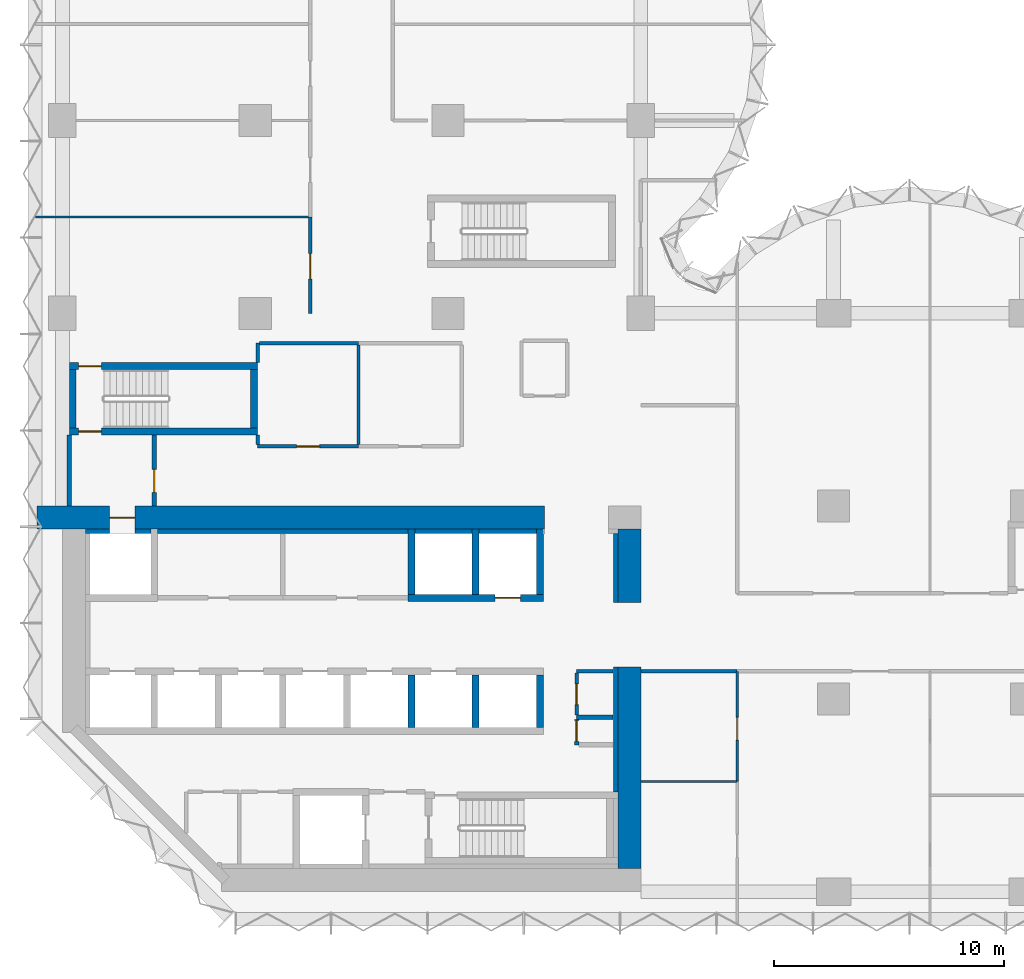
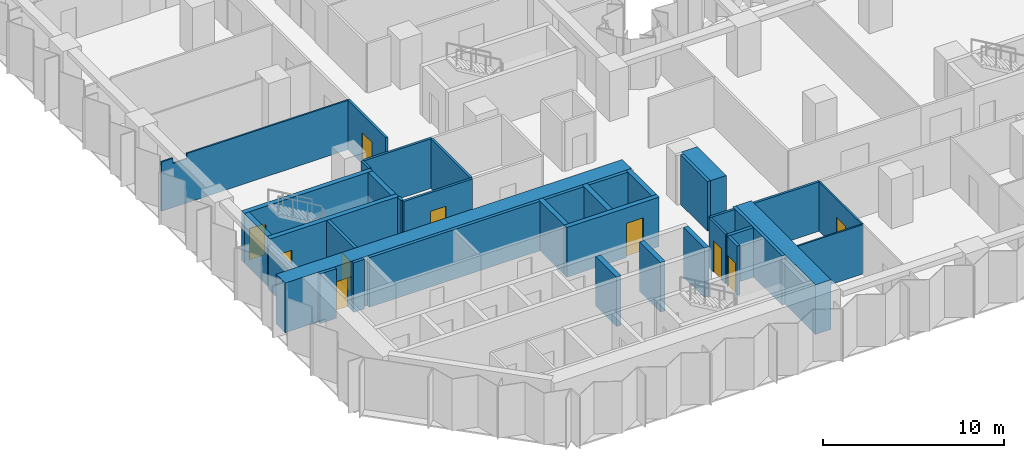
# One storey, part 8 of 15: 37 walls, 10 doors, 10 openings.
"""IFC4 building model written with IfcOpenShell, lengths in metres."""

from ifc_helpers import new_model, si_unit, direction, frame, frame_2d, origin, place, context, subcontext, project, spatial, polyline, rectangle, outline, extrude, material, layer, layer_set, type_object, element, fill, save


model = new_model("IFC4")

# Units and contexts
model_context = context("Model", 3, precision=1e-05, world=origin(), true_north=direction((0.0, 1.0)))
body_context = subcontext(model_context, "Body", "Model", "MODEL_VIEW")
ifc_project = project(units=[si_unit("LENGTHUNIT", "METRE"), si_unit("AREAUNIT", "SQUARE_METRE"), si_unit("VOLUMEUNIT", "CUBIC_METRE"), si_unit("PLANEANGLEUNIT", "RADIAN"), si_unit("MASSUNIT", "GRAM", prefix="KILO")], contexts=[model_context])

# Site, building, storey
site_placement = place(None, origin())
site = spatial("IfcSite", under=ifc_project, at=site_placement, CompositionType="ELEMENT")
building_placement = place(site_placement, origin())
building = spatial("IfcBuilding", under=site, at=building_placement, Name="Brevane Broadcast Tower", CompositionType="ELEMENT")
storey_placement = place(building_placement, frame((0.0, 0.0, 50.89990234375)))
storey = spatial("IfcBuildingStorey", under=building, at=storey_placement, Name="L10", CompositionType="ELEMENT", Elevation=50.89990234375)

# Walls
ifc_material_1 = material(Name="Concrete C32/40", Category="concrete")
ifc_layer_1 = layer(ifc_material_1, 0.199951171875)
ifc_layer_set_1 = layer_set([ifc_layer_1], Name="Core chase wall 200 mm")
wall_type_1 = type_object("IfcWallType", Name="Core chase wall 200 mm", PredefinedType="PARTITIONING", material=ifc_layer_set_1)
wall_1_placement = place(storey_placement, frame((24.10009765625, 12.60009765625, 0.0), z_axis=(0.0, 0.0, 1.0), x_axis=(0.0, 1.0, 0.0)))
element("IfcWall", 1, at=wall_1_placement, inside=storey, type_object=wall_type_1, Name="L10 chase wall LE2", PredefinedType="PARTITIONING", context=body_context, shape_type="SweptSolid", body=[
    extrude(rectangle(XDim=3.0, YDim=0.199951171875, at=frame_2d((1.5, 0.0))), origin(), (0.0, 0.0, 1.0), 3.35009765625),
])
wall_2_placement = place(storey_placement, frame((1.0, 15.699951171875, 0.0), z_axis=(0.0, 0.0, 1.0), x_axis=(1.0, 0.0, 0.0)))
element("IfcWall", 2, at=wall_2_placement, inside=storey, type_object=wall_type_1, Name="L10 chase wall LN0", PredefinedType="PARTITIONING", context=body_context, shape_type="SweptSolid", body=[
    extrude(rectangle(XDim=1.050048828125, YDim=0.199951171875, at=frame_2d((0.52490234375, 0.0))), origin(), (0.0, 0.0, 1.0), 3.35009765625),
])
wall_3_placement = place(storey_placement, frame((3.14990234375, 15.699951171875, 0.0), z_axis=(0.0, 0.0, 1.0), x_axis=(1.0, 0.0, 0.0)))
element("IfcWall", 3, at=wall_3_placement, inside=storey, type_object=wall_type_1, Name="L10 chase wall LN1-1", PredefinedType="PARTITIONING", context=body_context, shape_type="SweptSolid", body=[
    extrude(rectangle(XDim=0.7001953125, YDim=0.199951171875, at=frame_2d((0.35009765625, 0.0))), origin(), (0.0, 0.0, 1.0), 3.35009765625),
])
wall_4_placement = place(storey_placement, frame((4.14990234375, 15.699951171875, 0.0), z_axis=(0.0, 0.0, 1.0), x_axis=(1.0, 0.0, 0.0)))
element("IfcWall", 4, at=wall_4_placement, inside=storey, type_object=wall_type_1, Name="L10 chase wall LN1-2-1", PredefinedType="PARTITIONING", context=body_context, shape_type="SweptSolid", body=[
    extrude(rectangle(XDim=10.900146484375, YDim=0.199951171875, at=frame_2d((5.4501953125, 0.0))), origin(), (0.0, 0.0, 1.0), 3.35009765625),
])
for number, where, z_axis, x_axis, name in (
    (5, (15.35009765625, 15.699951171875, 0.0), (0.0, 0.0, 1.0), (1.0, 0.0, 0.0), "L10 chase wall LN1-2-2-1"),
    (6, (18.14990234375, 15.699951171875, 0.0), (0.0, 0.0, 1.0), (1.0, 0.0, 0.0), "L10 chase wall LN1-2-2-2-1"),
):
    element("IfcWall", number, at=place(storey_placement, frame(where, z_axis=z_axis, x_axis=x_axis)), inside=storey, type_object=wall_type_1, Name=name, PredefinedType="PARTITIONING", context=body_context, shape_type="SweptSolid", body=[
        extrude(rectangle(XDim=2.5, YDim=0.199951171875, at=frame_2d((1.25, 0.0))), origin(), (0.0, 0.0, 1.0), 3.35009765625),
    ])
wall_5_placement = place(storey_placement, frame((24.10009765625, 4.35009765625, 0.0), z_axis=(0.0, 0.0, 1.0), x_axis=(0.0, 1.0, 0.0)))
element("IfcWall", 7, at=wall_5_placement, inside=storey, type_object=wall_type_1, Name="L10 chase wall LE1-2-2", PredefinedType="PARTITIONING", context=body_context, shape_type="SweptSolid", body=[
    extrude(rectangle(XDim=5.449951171875, YDim=0.199951171875, at=frame_2d((2.72509765625, 0.0))), origin(), (0.0, 0.0, 1.0), 3.35009765625),
])

# Wall, opening, door
ifc_material_2 = material(Name="Gypsum board on steel studs", Category="steel")
ifc_layer_2 = layer(ifc_material_2, 0.14990234375)
ifc_layer_set_2 = layer_set([ifc_layer_2], Name="Core fire partition 150 mm")
wall_type_2 = type_object("IfcWallType", Name="Core fire partition 150 mm", PredefinedType="PARTITIONING", material=ifc_layer_set_2)
wall_6_placement = place(storey_placement, frame((12.89990234375, 19.39990234375, 0.0), z_axis=(0.0, 0.0, 1.0), x_axis=(-1.0, 0.0, 0.0)))
wall_6 = element("IfcWall", 8, at=wall_6_placement, inside=storey, type_object=wall_type_2, Name="L10 partition wall P15", PredefinedType="PARTITIONING", context=body_context, shape_type="SweptSolid", body=[
    extrude(rectangle(XDim=4.39990234375, YDim=0.14990234375, at=frame_2d((2.199951171875, 0.0))), origin(), (0.0, 0.0, 1.0), 3.35009765625),
])
opening_1_placement = place(wall_6_placement, frame((1.699951171875, 0.0, 0.0)))
opening_1 = element("IfcOpeningElement", 9, at=opening_1_placement, cuts=wall_6, Name="Opening L10-K25", PredefinedType="OPENING", context=body_context, shape_type="SweptSolid", body=[
    extrude(rectangle(XDim=1.0, YDim=2.10009765625, at=frame_2d((0.5, 1.050048828125))), frame((0.0, 0.0849609375, 0.0), z_axis=(0.0, -1.0, 0.0), x_axis=(1.0, 0.0, 0.0)), (0.0, 0.0, 1.0), 0.169921875),
])
ifc_material_3 = material(Name="Steel", Category="steel")
door_type_1 = type_object("IfcDoorType", Name="Service room door 1000 x 2100", OperationType="SINGLE_SWING_LEFT", PredefinedType="DOOR", material=ifc_material_3)
door_1_placement = place(opening_1_placement, origin())
door_1 = element("IfcDoor", 10, at=door_1_placement, inside=storey, type_object=door_type_1, Name="Door L10-K25", OperationType="SINGLE_SWING_LEFT", OverallHeight=2.10009765625, OverallWidth=1.0, PredefinedType="DOOR", context=body_context, shape_type="SweptSolid", body=[
    extrude(rectangle(XDim=1.0, YDim=2.10009765625, at=frame_2d((0.5, 1.050048828125))), frame((0.0, 0.02490234375, 0.0), z_axis=(0.0, -1.0, 0.0), x_axis=(1.0, 0.0, 0.0)), (0.0, 0.0, 1.0), 0.050048828125),
])
fill(opening_1, door_1)

# Walls
wall_7_placement = place(storey_placement, frame((8.5, 19.47509765625, 0.0), z_axis=(0.0, 0.0, 1.0), x_axis=(0.0, 1.0, 0.0)))
element("IfcWall", 11, at=wall_7_placement, inside=storey, type_object=wall_type_2, Name="L10 partition wall P16", PredefinedType="PARTITIONING", context=body_context, shape_type="SweptSolid", body=[
    extrude(rectangle(XDim=0.412841796875, YDim=0.14990234375, at=frame_2d((0.20654296875, 0.0))), origin(), (0.0, 0.0, 1.0), 3.35009765625),
])
wall_8_placement = place(storey_placement, frame((8.5, 23.06201171875, 0.0), z_axis=(0.0, 0.0, 1.0), x_axis=(0.0, 1.0, 0.0)))
element("IfcWall", 12, at=wall_8_placement, inside=storey, type_object=wall_type_2, Name="L10 partition wall P17", PredefinedType="PARTITIONING", context=body_context, shape_type="SweptSolid", body=[
    extrude(rectangle(XDim=0.837890625, YDim=0.14990234375, at=frame_2d((0.4189453125, 0.0))), origin(), (0.0, 0.0, 1.0), 3.35009765625),
])
wall_9_placement = place(storey_placement, frame((8.574951171875, 23.89990234375, 0.0), z_axis=(0.0, 0.0, 1.0), x_axis=(1.0, 0.0, 0.0)))
element("IfcWall", 13, at=wall_9_placement, inside=storey, type_object=wall_type_2, Name="L10 partition wall P18", PredefinedType="PARTITIONING", context=body_context, shape_type="SweptSolid", body=[
    extrude(rectangle(XDim=4.324951171875, YDim=0.14990234375, at=frame_2d((2.16259765625, 0.0))), origin(), (0.0, 0.0, 1.0), 3.35009765625),
])
wall_10_placement = place(storey_placement, frame((12.89990234375, 23.824951171875, 0.0), z_axis=(0.0, 0.0, 1.0), x_axis=(0.0, -1.0, 0.0)))
element("IfcWall", 14, at=wall_10_placement, inside=storey, type_object=wall_type_2, Name="L10 partition wall P22", PredefinedType="PARTITIONING", context=body_context, shape_type="SweptSolid", body=[
    extrude(rectangle(XDim=4.349853515625, YDim=0.14990234375, at=frame_2d((2.1748046875, 0.0))), origin(), (0.0, 0.0, 1.0), 3.35009765625),
])
wall_11_placement = place(storey_placement, frame((23.988037109375, 9.60009765625, 0.0), z_axis=(0.0, 0.0, 1.0), x_axis=(-1.0, 0.0, 0.0)))
element("IfcWall", 15, at=wall_11_placement, inside=storey, type_object=wall_type_2, Name="L10 partition wall P23", PredefinedType="PARTITIONING", context=body_context, shape_type="SweptSolid", body=[
    extrude(rectangle(XDim=1.588134765625, YDim=0.14990234375, at=frame_2d((0.7939453125, 0.0))), origin(), (0.0, 0.0, 1.0), 3.35009765625),
])

# Wall, opening, door
wall_12_placement = place(storey_placement, frame((22.39990234375, 9.52490234375, 0.0), z_axis=(0.0, 0.0, 1.0), x_axis=(0.0, -1.0, 0.0)))
wall_12 = element("IfcWall", 16, at=wall_12_placement, inside=storey, type_object=wall_type_2, Name="L10 partition wall P24", PredefinedType="PARTITIONING", context=body_context, shape_type="SweptSolid", body=[
    extrude(rectangle(XDim=1.824951171875, YDim=0.14990234375, at=frame_2d((0.91259765625, 0.0))), origin(), (0.0, 0.0, 1.0), 3.35009765625),
])
opening_2_placement = place(wall_12_placement, frame((0.47509765625, 0.0, 0.0)))
opening_2 = element("IfcOpeningElement", 17, at=opening_2_placement, cuts=wall_12, Name="Opening L10-K20", PredefinedType="OPENING", context=body_context, shape_type="SweptSolid", body=[
    extrude(rectangle(XDim=0.89990234375, YDim=2.10009765625, at=frame_2d((0.449951171875, 1.050048828125))), frame((0.0, 0.0849609375, 0.0), z_axis=(0.0, -1.0, 0.0), x_axis=(1.0, 0.0, 0.0)), (0.0, 0.0, 1.0), 0.169921875),
])
door_type_2 = type_object("IfcDoorType", Name="Service room door 900 x 2100", OperationType="SINGLE_SWING_LEFT", PredefinedType="DOOR", material=ifc_material_3)
door_2_placement = place(opening_2_placement, origin())
door_2 = element("IfcDoor", 18, at=door_2_placement, inside=storey, type_object=door_type_2, Name="Door L10-K20", OperationType="SINGLE_SWING_RIGHT", OverallHeight=2.10009765625, OverallWidth=0.89990234375, PredefinedType="DOOR", context=body_context, shape_type="SweptSolid", body=[
    extrude(rectangle(XDim=0.89990234375, YDim=2.10009765625, at=frame_2d((0.449951171875, 1.050048828125))), frame((0.0, 0.02490234375, 0.0), z_axis=(0.0, -1.0, 0.0), x_axis=(1.0, 0.0, 0.0)), (0.0, 0.0, 1.0), 0.050048828125),
])
fill(opening_2, door_2)

# Wall
ifc_layer_3 = layer(ifc_material_2, 0.199951171875)
ifc_layer_set_3 = layer_set([ifc_layer_3], Name="Core fire partition 200 mm")
wall_type_3 = type_object("IfcWallType", Name="Core fire partition 200 mm", PredefinedType="PARTITIONING", material=ifc_layer_set_3)
wall_13_placement = place(storey_placement, frame((0.300048828125, 16.81201171875, 0.0), z_axis=(0.0, 0.0, 1.0), x_axis=(0.0, 1.0, 0.0)))
element("IfcWall", 19, at=wall_13_placement, inside=storey, type_object=wall_type_3, Name="L10 partition wall P01", PredefinedType="PARTITIONING", context=body_context, shape_type="SweptSolid", body=[
    extrude(rectangle(XDim=3.075927734375, YDim=0.199951171875, at=frame_2d((1.5380859375, 0.0))), origin(), (0.0, 0.0, 1.0), 2.97998046875),
])

# Wall, opening, door
wall_14_placement = place(storey_placement, frame((4.0, 19.887939453125, 0.0), z_axis=(0.0, 0.0, 1.0), x_axis=(0.0, -1.0, 0.0)))
wall_14 = element("IfcWall", 20, at=wall_14_placement, inside=storey, type_object=wall_type_3, Name="L10 partition wall P02", PredefinedType="PARTITIONING", context=body_context, shape_type="SweptSolid", body=[
    extrude(rectangle(XDim=3.075927734375, YDim=0.199951171875, at=frame_2d((1.5380859375, 0.0))), origin(), (0.0, 0.0, 1.0), 3.35009765625),
])
opening_3_placement = place(wall_14_placement, frame((1.488037109375, 0.0, 0.0)))
opening_3 = element("IfcOpeningElement", 21, at=opening_3_placement, cuts=wall_14, Name="Opening L10-K23", PredefinedType="OPENING", context=body_context, shape_type="SweptSolid", body=[
    extrude(rectangle(XDim=1.0, YDim=2.10009765625, at=frame_2d((0.5, 1.050048828125))), frame((0.0, 0.10986328125, 0.0), z_axis=(0.0, -1.0, 0.0), x_axis=(1.0, 0.0, 0.0)), (0.0, 0.0, 1.0), 0.219970703125),
])
door_type_3 = type_object("IfcDoorType", Name="Stair door 1000 x 2100", OperationType="SINGLE_SWING_LEFT", PredefinedType="DOOR", material=ifc_material_3)
door_3_placement = place(opening_3_placement, origin())
door_3 = element("IfcDoor", 22, at=door_3_placement, inside=storey, type_object=door_type_3, Name="Door L10-K23", OperationType="SINGLE_SWING_LEFT", OverallHeight=2.10009765625, OverallWidth=1.0, PredefinedType="DOOR", context=body_context, shape_type="SweptSolid", body=[
    extrude(rectangle(XDim=1.0, YDim=2.10009765625, at=frame_2d((0.5, 1.050048828125))), frame((0.0, 0.02490234375, 0.0), z_axis=(0.0, -1.0, 0.0), x_axis=(1.0, 0.0, 0.0)), (0.0, 0.0, 1.0), 0.050048828125),
])
fill(opening_3, door_3)

# Wall
wall_15_placement = place(storey_placement, frame((23.988037109375, 7.60009765625, 0.0), z_axis=(0.0, 0.0, 1.0), x_axis=(-1.0, 0.0, 0.0)))
element("IfcWall", 23, at=wall_15_placement, inside=storey, type_object=wall_type_3, Name="L10 partition wall P07", PredefinedType="PARTITIONING", context=body_context, shape_type="SweptSolid", body=[
    extrude(rectangle(XDim=1.588134765625, YDim=0.199951171875, at=frame_2d((0.7939453125, 0.0))), origin(), (0.0, 0.0, 1.0), 3.35009765625),
])

# Wall, opening, door
wall_16_placement = place(storey_placement, frame((22.39990234375, 7.5, 0.0), z_axis=(0.0, 0.0, 1.0), x_axis=(0.0, -1.0, 0.0)))
wall_16 = element("IfcWall", 24, at=wall_16_placement, inside=storey, type_object=wall_type_3, Name="L10 partition wall P08", PredefinedType="PARTITIONING", context=body_context, shape_type="SweptSolid", body=[
    extrude(rectangle(XDim=1.10009765625, YDim=0.199951171875, at=frame_2d((0.550048828125, 0.0))), origin(), (0.0, 0.0, 1.0), 3.35009765625),
])
opening_4_placement = place(wall_16_placement, frame((0.050048828125, 0.0, 0.0)))
opening_4 = element("IfcOpeningElement", 25, at=opening_4_placement, cuts=wall_16, Name="Opening L10-K19", PredefinedType="OPENING", context=body_context, shape_type="SweptSolid", body=[
    extrude(rectangle(XDim=0.89990234375, YDim=2.10009765625, at=frame_2d((0.449951171875, 1.050048828125))), frame((0.0, 0.10986328125, 0.0), z_axis=(0.0, -1.0, 0.0), x_axis=(1.0, 0.0, 0.0)), (0.0, 0.0, 1.0), 0.219970703125),
])
door_4_placement = place(opening_4_placement, origin())
door_4 = element("IfcDoor", 26, at=door_4_placement, inside=storey, type_object=door_type_2, Name="Door L10-K19", OperationType="SINGLE_SWING_LEFT", OverallHeight=2.10009765625, OverallWidth=0.89990234375, PredefinedType="DOOR", context=body_context, shape_type="SweptSolid", body=[
    extrude(rectangle(XDim=0.89990234375, YDim=2.10009765625, at=frame_2d((0.449951171875, 1.050048828125))), frame((0.0, 0.02490234375, 0.0), z_axis=(0.0, -1.0, 0.0), x_axis=(1.0, 0.0, 0.0)), (0.0, 0.0, 1.0), 0.050048828125),
])
fill(opening_4, door_4)

ifc_material_4 = material(Name="Concrete C80/95", Category="concrete")
ifc_layer_4 = layer(ifc_material_4, 1.0)
ifc_layer_set_4 = layer_set([ifc_layer_4], Name="Core wall 1000 mm C80/95")
wall_type_4 = type_object("IfcWallType", Name="Core wall 1000 mm C80/95", PredefinedType="SHEAR", material=ifc_layer_set_4)
wall_17_placement = place(storey_placement, frame((-1.10009765625, 16.300048828125, 0.0), z_axis=(0.0, 0.0, 1.0), x_axis=(1.0, 0.0, 0.0)))
wall_17 = element("IfcWall", 27, at=wall_17_placement, inside=storey, type_object=wall_type_4, Name="L10 outer wall WN1", PredefinedType="SHEAR", context=body_context, shape_type="SweptSolid", body=[
    extrude(rectangle(XDim=22.10009765625, YDim=1.0, at=frame_2d((11.050048828125, 0.0))), origin(), (0.0, 0.0, 1.0), 3.35009765625),
])
opening_5_placement = place(wall_17_placement, frame((3.14990234375, 0.0, 0.0)))
opening_5 = element("IfcOpeningElement", 28, at=opening_5_placement, cuts=wall_17, Name="Opening LD", PredefinedType="OPENING", context=body_context, shape_type="SweptSolid", body=[
    extrude(rectangle(XDim=1.10009765625, YDim=2.300048828125, at=frame_2d((0.550048828125, 1.14990234375))), frame((0.0, 0.510009765625, 0.0), z_axis=(0.0, -1.0, 0.0), x_axis=(1.0, 0.0, 0.0)), (0.0, 0.0, 1.0), 1.02001953125),
])
ifc_material_5 = material(Name="Stainless steel", Category="steel")
door_type_4 = type_object("IfcDoorType", Name="Lift landing door", OperationType="SLIDING_TO_LEFT", PredefinedType="DOOR", material=ifc_material_5)
door_5_placement = place(opening_5_placement, origin())
door_5 = element("IfcDoor", 29, at=door_5_placement, inside=storey, type_object=door_type_4, Name="Landing door FF1 L10", OperationType="SLIDING_TO_LEFT", OverallHeight=2.300048828125, OverallWidth=1.10009765625, PredefinedType="DOOR", context=body_context, shape_type="SweptSolid", body=[
    extrude(rectangle(XDim=1.10009765625, YDim=2.300048828125, at=frame_2d((0.550048828125, 1.14990234375))), frame((0.0, 0.02490234375, 0.0), z_axis=(0.0, -1.0, 0.0), x_axis=(1.0, 0.0, 0.0)), (0.0, 0.0, 1.0), 0.050048828125),
])
fill(opening_5, door_5)

# Walls
wall_18_placement = place(storey_placement, frame((24.699951171875, 1.0, 0.0), z_axis=(0.0, 0.0, 1.0), x_axis=(0.0, 1.0, 0.0)))
element("IfcWall", 30, at=wall_18_placement, inside=storey, type_object=wall_type_4, Name="L10 outer wall WE1", PredefinedType="SHEAR", context=body_context, shape_type="SweptSolid", body=[
    extrude(rectangle(XDim=8.800048828125, YDim=1.0, at=frame_2d((4.39990234375, 0.0))), origin(), (0.0, 0.0, 1.0), 3.35009765625),
])
wall_19_placement = place(storey_placement, frame((24.699951171875, 12.60009765625, 0.0), z_axis=(0.0, 0.0, 1.0), x_axis=(0.0, 1.0, 0.0)))
element("IfcWall", 31, at=wall_19_placement, inside=storey, type_object=wall_type_4, Name="L10 outer wall WE2", PredefinedType="SHEAR", context=body_context, shape_type="SweptSolid", body=[
    extrude(rectangle(XDim=3.199951171875, YDim=1.0, at=frame_2d((1.60009765625, 0.0))), origin(), (0.0, 0.0, 1.0), 3.35009765625),
])
ifc_layer_5 = layer(ifc_material_4, 0.300048828125)
ifc_layer_set_5 = layer_set([ifc_layer_5], Name="Core wall 300 mm C80/95")
wall_type_5 = type_object("IfcWallType", Name="Core wall 300 mm C80/95", PredefinedType="SHEAR", material=ifc_layer_set_5)
for number, where, z_axis, x_axis, name in (
    (32, (15.199951171875, 7.14990234375, 0.0), (0.0, 0.0, 1.0), (0.0, 1.0, 0.0), "L10 shaft wall SH-S-P152"),
    (33, (18.0, 7.14990234375, 0.0), (0.0, 0.0, 1.0), (0.0, 1.0, 0.0), "L10 shaft wall SH-S-P180"),
    (34, (20.800048828125, 7.14990234375, 0.0), (0.0, 0.0, 1.0), (0.0, 1.0, 0.0), "L10 shaft wall SH-S-P208"),
):
    element("IfcWall", number, at=place(storey_placement, frame(where, z_axis=z_axis, x_axis=x_axis)), inside=storey, type_object=wall_type_5, Name=name, PredefinedType="SHEAR", context=body_context, shape_type="SweptSolid", body=[
        extrude(rectangle(XDim=2.300048828125, YDim=0.300048828125, at=frame_2d((1.14990234375, 0.0))), origin(), (0.0, 0.0, 1.0), 3.35009765625),
    ])

# Wall, opening, door
wall_20_placement = place(storey_placement, frame((15.050048828125, 12.800048828125, 0.0), z_axis=(0.0, 0.0, 1.0), x_axis=(1.0, 0.0, 0.0)))
wall_20 = element("IfcWall", 35, at=wall_20_placement, inside=storey, type_object=wall_type_5, Name="L10 shaft wall SH-N152-front", PredefinedType="SHEAR", context=body_context, shape_type="SweptSolid", body=[
    extrude(rectangle(XDim=5.89990234375, YDim=0.300048828125, at=frame_2d((2.949951171875, 0.0))), origin(), (0.0, 0.0, 1.0), 3.35009765625),
])
opening_6_placement = place(wall_20_placement, frame((3.800048828125, 0.0, 0.0)))
opening_6 = element("IfcOpeningElement", 36, at=opening_6_placement, cuts=wall_20, Name="Opening LD", PredefinedType="OPENING", context=body_context, shape_type="SweptSolid", body=[
    extrude(rectangle(XDim=1.10009765625, YDim=2.300048828125, at=frame_2d((0.550048828125, 1.14990234375))), frame((0.0, 0.159912109375, 0.0), z_axis=(0.0, -1.0, 0.0), x_axis=(1.0, 0.0, 0.0)), (0.0, 0.0, 1.0), 0.320068359375),
])
door_6_placement = place(opening_6_placement, origin())
door_6 = element("IfcDoor", 37, at=door_6_placement, inside=storey, type_object=door_type_4, Name="Landing door SL1 L10", OperationType="SLIDING_TO_LEFT", OverallHeight=2.300048828125, OverallWidth=1.10009765625, PredefinedType="DOOR", context=body_context, shape_type="SweptSolid", body=[
    extrude(rectangle(XDim=1.10009765625, YDim=2.300048828125, at=frame_2d((0.550048828125, 1.14990234375))), frame((0.0, 0.02490234375, 0.0), z_axis=(0.0, -1.0, 0.0), x_axis=(1.0, 0.0, 0.0)), (0.0, 0.0, 1.0), 0.050048828125),
])
fill(opening_6, door_6)

# Walls
for number, where, z_axis, x_axis, name in (
    (38, (15.199951171875, 12.949951171875, 0.0), (0.0, 0.0, 1.0), (0.0, 1.0, 0.0), "L10 shaft wall SH-N-P152"),
    (39, (18.0, 12.949951171875, 0.0), (0.0, 0.0, 1.0), (0.0, 1.0, 0.0), "L10 shaft wall SH-N-P180"),
    (40, (20.800048828125, 12.949951171875, 0.0), (0.0, 0.0, 1.0), (0.0, 1.0, 0.0), "L10 shaft wall SH-N-P208"),
):
    element("IfcWall", number, at=place(storey_placement, frame(where, z_axis=z_axis, x_axis=x_axis)), inside=storey, type_object=wall_type_5, Name=name, PredefinedType="SHEAR", context=body_context, shape_type="SweptSolid", body=[
        extrude(rectangle(XDim=2.85009765625, YDim=0.300048828125, at=frame_2d((1.425048828125, 0.0))), origin(), (0.0, 0.0, 1.0), 3.35009765625),
    ])

# Wall, opening, door
wall_21_placement = place(storey_placement, frame((8.5, 20.050048828125, 0.0), z_axis=(0.0, 0.0, 1.0), x_axis=(-1.0, 0.0, 0.0)))
wall_21 = element("IfcWall", 41, at=wall_21_placement, inside=storey, type_object=wall_type_5, Name="L10 stair wall ST-1-S", PredefinedType="SHEAR", context=body_context, shape_type="SweptSolid", body=[
    extrude(rectangle(XDim=8.199951171875, YDim=0.300048828125, at=frame_2d((4.10009765625, 0.0))), origin(), (0.0, 0.0, 1.0), 3.35009765625),
])
opening_7_placement = place(wall_21_placement, frame((6.800048828125, 0.0, 0.0)))
opening_7 = element("IfcOpeningElement", 42, at=opening_7_placement, cuts=wall_21, Name="Opening L10-K10", PredefinedType="OPENING", context=body_context, shape_type="SweptSolid", body=[
    extrude(rectangle(XDim=1.0, YDim=2.10009765625, at=frame_2d((0.5, 1.050048828125))), frame((0.0, 0.159912109375, 0.0), z_axis=(0.0, -1.0, 0.0), x_axis=(1.0, 0.0, 0.0)), (0.0, 0.0, 1.0), 0.320068359375),
])
door_7_placement = place(opening_7_placement, origin())
door_7 = element("IfcDoor", 43, at=door_7_placement, inside=storey, type_object=door_type_3, Name="Door L10-K10", OperationType="SINGLE_SWING_RIGHT", OverallHeight=2.10009765625, OverallWidth=1.0, PredefinedType="DOOR", context=body_context, shape_type="SweptSolid", body=[
    extrude(rectangle(XDim=1.0, YDim=2.10009765625, at=frame_2d((0.5, 1.050048828125))), frame((0.0, 0.02490234375, 0.0), z_axis=(0.0, -1.0, 0.0), x_axis=(1.0, 0.0, 0.0)), (0.0, 0.0, 1.0), 0.050048828125),
])
fill(opening_7, door_7)

wall_22_placement = place(storey_placement, frame((0.300048828125, 22.89990234375, 0.0), z_axis=(0.0, 0.0, 1.0), x_axis=(1.0, 0.0, 0.0)))
wall_22 = element("IfcWall", 44, at=wall_22_placement, inside=storey, type_object=wall_type_5, Name="L10 stair wall ST-1-N", PredefinedType="SHEAR", context=body_context, shape_type="SweptSolid", body=[
    extrude(rectangle(XDim=8.199951171875, YDim=0.300048828125, at=frame_2d((4.10009765625, 0.0))), origin(), (0.0, 0.0, 1.0), 3.35009765625),
])
opening_8_placement = place(wall_22_placement, frame((0.39990234375, 0.0, 0.0)))
opening_8 = element("IfcOpeningElement", 45, at=opening_8_placement, cuts=wall_22, Name="Opening L10-K11", PredefinedType="OPENING", context=body_context, shape_type="SweptSolid", body=[
    extrude(rectangle(XDim=1.0, YDim=2.10009765625, at=frame_2d((0.5, 1.050048828125))), frame((0.0, 0.159912109375, 0.0), z_axis=(0.0, -1.0, 0.0), x_axis=(1.0, 0.0, 0.0)), (0.0, 0.0, 1.0), 0.320068359375),
])
door_8_placement = place(opening_8_placement, origin())
door_8 = element("IfcDoor", 46, at=door_8_placement, inside=storey, type_object=door_type_3, Name="Door L10-K11", OperationType="SINGLE_SWING_LEFT", OverallHeight=2.10009765625, OverallWidth=1.0, PredefinedType="DOOR", context=body_context, shape_type="SweptSolid", body=[
    extrude(rectangle(XDim=1.0, YDim=2.10009765625, at=frame_2d((0.5, 1.050048828125))), frame((0.0, 0.02490234375, 0.0), z_axis=(0.0, -1.0, 0.0), x_axis=(1.0, 0.0, 0.0)), (0.0, 0.0, 1.0), 0.050048828125),
])
fill(opening_8, door_8)

# Walls
for number, where, z_axis, x_axis, name in (
    (47, (0.449951171875, 20.199951171875, 0.0), (0.0, 0.0, 1.0), (0.0, 1.0, 0.0), "L10 stair wall ST-1-W"),
    (48, (8.35009765625, 20.199951171875, 0.0), (0.0, 0.0, 1.0), (0.0, 1.0, 0.0), "L10 stair wall ST-1-E"),
):
    element("IfcWall", number, at=place(storey_placement, frame(where, z_axis=z_axis, x_axis=x_axis)), inside=storey, type_object=wall_type_5, Name=name, PredefinedType="SHEAR", context=body_context, shape_type="SweptSolid", body=[
        extrude(rectangle(XDim=2.550048828125, YDim=0.300048828125, at=frame_2d((1.27490234375, 0.0))), origin(), (0.0, 0.0, 1.0), 3.35009765625),
    ])

# Wall, opening, door
ifc_material_6 = material(Name="Gypsum board partition")
ifc_layer_6 = layer(ifc_material_6, 0.10009765625)
ifc_layer_set_6 = layer_set([ifc_layer_6], Name="PARTITION 100 STUD")
wall_type_6 = type_object("IfcWallType", Name="PARTITION 100 STUD", PredefinedType="PARTITIONING", material=ifc_layer_set_6)
wall_23_placement = place(storey_placement, frame((29.39990234375, 4.800048828125, 0.0), z_axis=(0.0, 0.0, 1.0), x_axis=(0.0, 1.0, 0.0)))
wall_23 = element("IfcWall", 49, at=wall_23_placement, inside=storey, type_object=wall_type_6, Name="Partition G02-020", PredefinedType="PARTITIONING", context=body_context, shape_type="SweptSolid", body=[
    extrude(rectangle(XDim=4.800048828125, YDim=0.10009765625, at=frame_2d((2.39990234375, 0.0))), origin(), (0.0, 0.0, 1.0), 3.330078125),
])
opening_9_placement = place(wall_23_placement, frame((1.800048828125, 0.0, 0.0)))
opening_9 = element("IfcOpeningElement", 50, at=opening_9_placement, cuts=wall_23, Name="Opening D08-006", PredefinedType="OPENING", context=body_context, shape_type="SweptSolid", body=[
    extrude(rectangle(XDim=1.0, YDim=2.10009765625, at=frame_2d((0.5, 1.050048828125))), frame((0.0, 0.06005859375, 0.0), z_axis=(0.0, -1.0, 0.0), x_axis=(1.0, 0.0, 0.0)), (0.0, 0.0, 1.0), 0.1201171875),
])
ifc_material_7 = material(Name="Timber door leaf", Category="wood")
door_type_5 = type_object("IfcDoorType", Name="DOOR SINGLE 1000 INTERNAL", OperationType="SINGLE_SWING_LEFT", PredefinedType="DOOR", material=ifc_material_7)
door_9_placement = place(opening_9_placement, origin())
door_9 = element("IfcDoor", 51, at=door_9_placement, inside=storey, type_object=door_type_5, Name="Door D08-006", OperationType="SINGLE_SWING_LEFT", OverallHeight=2.10009765625, OverallWidth=1.0, PredefinedType="DOOR", context=body_context, shape_type="SweptSolid", body=[
    extrude(rectangle(XDim=1.0, YDim=2.10009765625, at=frame_2d((0.5, 1.050048828125))), frame((0.0, 0.02490234375, 0.0), z_axis=(0.0, -1.0, 0.0), x_axis=(1.0, 0.0, 0.0)), (0.0, 0.0, 1.0), 0.050048828125),
])
fill(opening_9, door_9)

# Walls
wall_24_placement = place(storey_placement, frame((25.199951171875, 4.800048828125, 0.0), z_axis=(0.0, 0.0, 1.0), x_axis=(1.0, 0.0, 0.0)))
element("IfcWall", 52, at=wall_24_placement, inside=storey, type_object=wall_type_6, Name="Partition G02-025", PredefinedType="PARTITIONING", context=body_context, shape_type="SweptSolid", body=[
    extrude(rectangle(XDim=4.199951171875, YDim=0.10009765625, at=frame_2d((2.10009765625, 0.0))), origin(), (0.0, 0.0, 1.0), 3.330078125),
])
wall_25_placement = place(storey_placement, frame((-1.174072265625, 29.39990234375, 0.0), z_axis=(0.0, 0.0, 1.0), x_axis=(1.0, 0.0, 0.0)))
element("IfcWall", 53, at=wall_25_placement, inside=storey, type_object=wall_type_6, Name="Partition G02-055", PredefinedType="PARTITIONING", context=body_context, shape_type="SweptSolid", body=[
    extrude(outline(polyline([(0.0, 0.0), (11.97412109375, 0.0), (11.97412109375, 3.330078125), (1.6240234375, 3.330078125), (1.6220703125, 2.97998046875), (0.72607421875, 2.97998046875), (0.72412109375, 3.330078125), (0.073974609375, 3.330078125), (0.0, 3.330078125), (0.0, 0.0)])), frame((0.0, 0.050048828125, 0.0), z_axis=(0.0, -1.0, 0.0), x_axis=(1.0, 0.0, 0.0)), (0.0, 0.0, 1.0), 0.10009765625),
])
ifc_layer_7 = layer(ifc_material_6, 0.14990234375)
ifc_layer_set_7 = layer_set([ifc_layer_7], Name="PARTITION 150 EI 60")
wall_type_7 = type_object("IfcWallType", Name="PARTITION 150 EI 60", PredefinedType="PARTITIONING", material=ifc_layer_set_7)
wall_26_placement = place(storey_placement, frame((29.39990234375, 9.60009765625, 0.0), z_axis=(0.0, 0.0, 1.0), x_axis=(-1.0, 0.0, 0.0)))
element("IfcWall", 54, at=wall_26_placement, inside=storey, type_object=wall_type_7, Name="Partition G02-002", PredefinedType="PARTITIONING", context=body_context, shape_type="SweptSolid", body=[
    extrude(rectangle(XDim=4.199951171875, YDim=0.14990234375, at=frame_2d((2.10009765625, 0.0))), origin(), (0.0, 0.0, 1.0), 3.330078125),
])

# Wall, opening, door
wall_27_placement = place(storey_placement, frame((10.800048828125, 25.199951171875, 0.0), z_axis=(0.0, 0.0, 1.0), x_axis=(0.0, 1.0, 0.0)))
wall_27 = element("IfcWall", 55, at=wall_27_placement, inside=storey, type_object=wall_type_7, Name="Partition G02-035", PredefinedType="PARTITIONING", context=body_context, shape_type="SweptSolid", body=[
    extrude(rectangle(XDim=4.199951171875, YDim=0.14990234375, at=frame_2d((2.10009765625, 0.0))), origin(), (0.0, 0.0, 1.0), 3.330078125),
])
opening_10_placement = place(wall_27_placement, frame((1.5, 0.0, 0.0)))
opening_10 = element("IfcOpeningElement", 56, at=opening_10_placement, cuts=wall_27, Name="Opening D08-016", PredefinedType="OPENING", context=body_context, shape_type="SweptSolid", body=[
    extrude(rectangle(XDim=1.10009765625, YDim=2.10009765625, at=frame_2d((0.550048828125, 1.050048828125))), frame((0.0, 0.0849609375, 0.0), z_axis=(0.0, -1.0, 0.0), x_axis=(1.0, 0.0, 0.0)), (0.0, 0.0, 1.0), 0.169921875),
])
ifc_material_8 = material(Name="Fire-rated timber door leaf", Category="wood")
door_type_6 = type_object("IfcDoorType", Name="DOOR SINGLE 1100 FD30S", OperationType="SINGLE_SWING_LEFT", PredefinedType="DOOR", material=ifc_material_8)
door_10_placement = place(opening_10_placement, origin())
door_10 = element("IfcDoor", 57, at=door_10_placement, inside=storey, type_object=door_type_6, Name="Door D08-016", OperationType="SINGLE_SWING_LEFT", OverallHeight=2.10009765625, OverallWidth=1.10009765625, PredefinedType="DOOR", context=body_context, shape_type="SweptSolid", body=[
    extrude(rectangle(XDim=1.10009765625, YDim=2.10009765625, at=frame_2d((0.550048828125, 1.050048828125))), frame((0.0, 0.02490234375, 0.0), z_axis=(0.0, -1.0, 0.0), x_axis=(1.0, 0.0, 0.0)), (0.0, 0.0, 1.0), 0.050048828125),
])
fill(opening_10, door_10)

save(model, "model.ifc")
